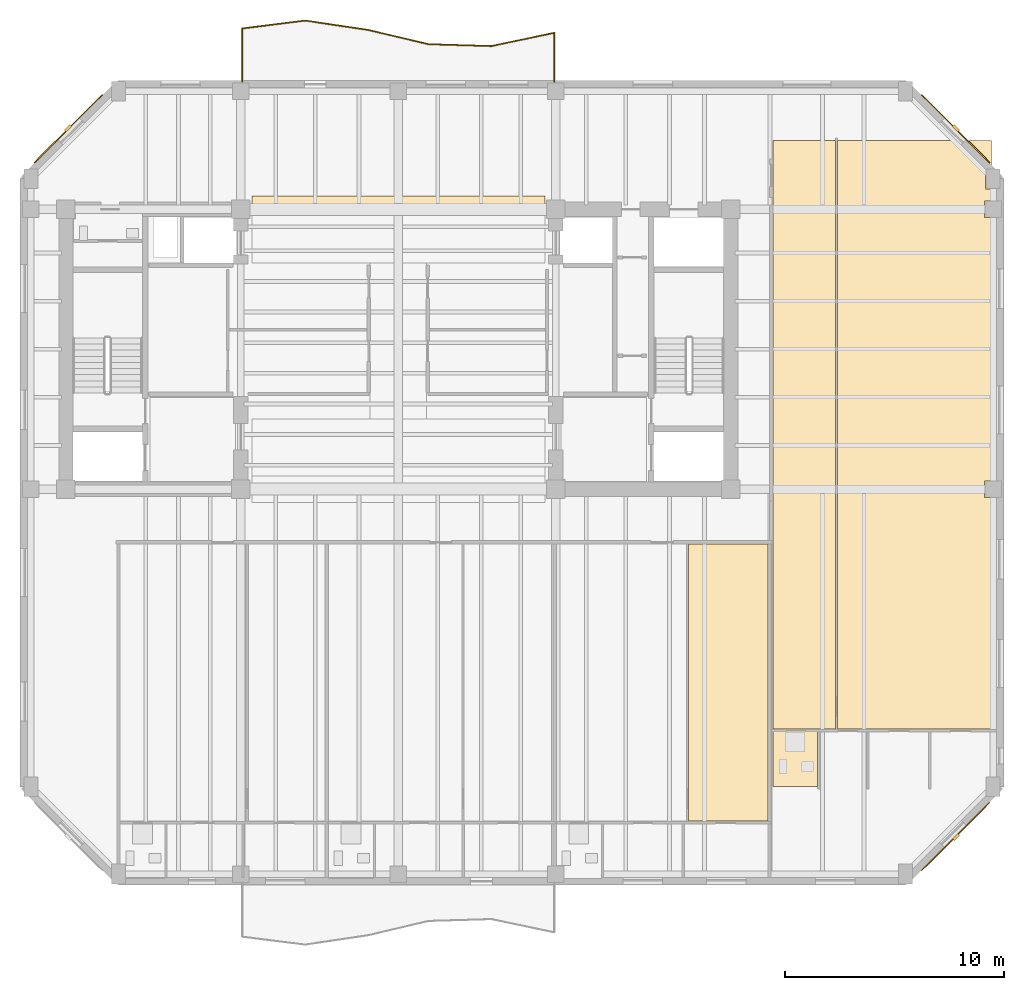
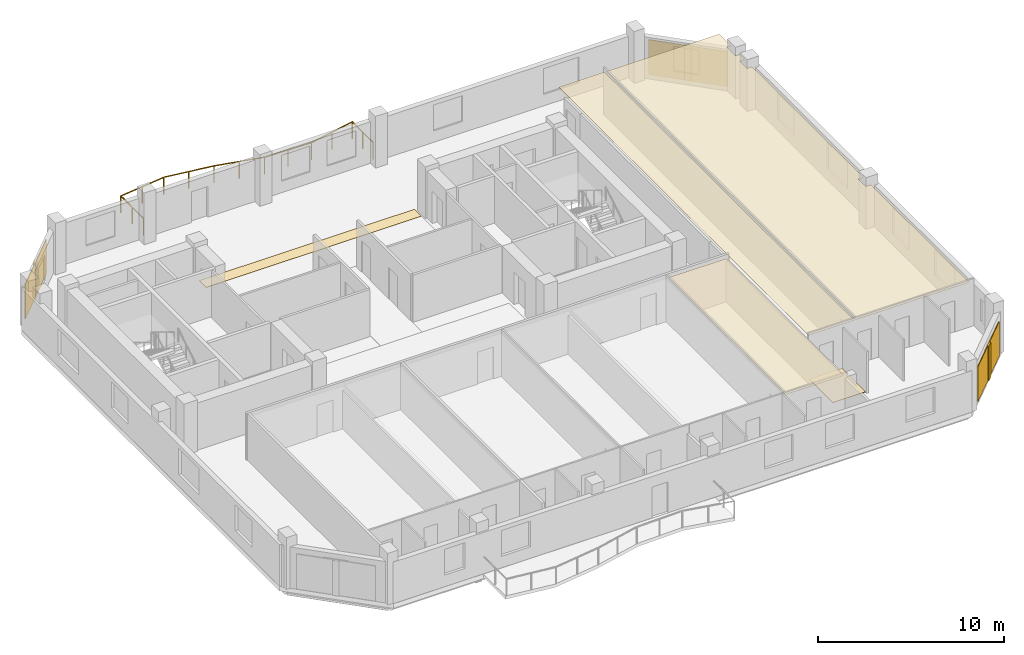
# One storey, part 9 of 10: 8 coverings, 3 shading devices, 1 railing.
"""IFC4 building model written with IfcOpenShell, lengths in metres."""

from ifc_helpers import new_model, si_unit, direction, frame, origin, origin_2d, place, context, subcontext, project, spatial, polyline, rectangle, circle, outline, extrude, material, layer, layer_set, type_object, element, save


model = new_model("IFC4")

# Units and contexts
model_context = context("Model", 3, precision=1e-05, world=origin(), true_north=direction((0.0, 1.0)))
body_context = subcontext(model_context, "Body", "Model", "MODEL_VIEW")
ifc_project = project(units=[si_unit("LENGTHUNIT", "METRE"), si_unit("AREAUNIT", "SQUARE_METRE"), si_unit("VOLUMEUNIT", "CUBIC_METRE"), si_unit("PLANEANGLEUNIT", "RADIAN"), si_unit("MASSUNIT", "GRAM", prefix="KILO")], contexts=[model_context])

# Site, building, storey
site_placement = place(None, origin())
site = spatial("IfcSite", under=ifc_project, at=site_placement, CompositionType="ELEMENT")
building_placement = place(site_placement, origin())
building = spatial("IfcBuilding", under=site, at=building_placement, Name="Kranthara Brick Stack", CompositionType="ELEMENT")
storey_placement = place(building_placement, frame((0.0, 0.0, 234.699951171875)))
storey = spatial("IfcBuildingStorey", under=building, at=storey_placement, Name="L61", CompositionType="ELEMENT", Elevation=234.699951171875)

# Coverings
ifc_material_1 = material(Name="Perforated mineral-fibre acoustic ceiling tile", Category="other")
ifc_layer_1 = layer(ifc_material_1, 0.02490234375)
ifc_layer_set_1 = layer_set([ifc_layer_1], Name="Perforated mineral-fibre acoustic ceiling tile")
covering_type_1 = type_object("IfcCoveringType", Name="COV-CEIL-ACOUSTIC", PredefinedType="CEILING", material=ifc_layer_set_1)
covering_1_placement = place(storey_placement, frame((0.0, 0.0, 2.830078125)))
element("IfcCovering", 1, at=covering_1_placement, inside=storey, type_object=covering_type_1, Name="L61 Unit L61C Private Study Room Acoustic Ceiling", PredefinedType="CEILING", context=body_context, shape_type="SweptSolid", body=[
    extrude(outline(polyline([(44.89990234375, 5.6298828125), (44.89990234375, 18.300048828125), (41.277099609375, 18.300048828125), (41.277099609375, 5.6298828125), (44.89990234375, 5.6298828125)])), origin(), (0.0, 0.0, 1.0), 0.02490234375),
])
covering_2_placement = place(storey_placement, frame((0.0, 0.0, 2.830078125)))
element("IfcCovering", 2, at=covering_2_placement, inside=storey, type_object=covering_type_1, Name="L61 Unit L61D 2-Bed Apartment Living Dining Acoustic Ceiling", PredefinedType="CEILING", context=body_context, shape_type="SweptSolid", body=[
    extrude(outline(polyline([(47.987060546875, 9.830078125), (47.987060546875, 36.75), (45.139892578125, 36.75), (45.139892578125, 9.830078125), (47.987060546875, 9.830078125)])), origin(), (0.0, 0.0, 1.0), 0.02490234375),
])
covering_3_placement = place(storey_placement, frame((0.0, 0.0, 2.830078125)))
element("IfcCovering", 3, at=covering_3_placement, inside=storey, type_object=covering_type_1, Name="L61 Unit L61D Private Study Room Acoustic Ceiling", PredefinedType="CEILING", context=body_context, shape_type="SweptSolid", body=[
    extrude(outline(polyline([(48.0869140625, 36.75), (55.1298828125, 36.75), (55.1298828125, 35.4599609375), (54.864990234375, 35.4599609375), (54.864990234375, 34.5400390625), (55.1298828125, 34.5400390625), (55.1298828125, 33.985107421875), (54.81494140625, 33.985107421875), (54.81494140625, 33.215087890625), (55.1298828125, 33.215087890625), (55.1298828125, 21.18505859375), (54.81494140625, 21.18505859375), (54.81494140625, 20.4150390625), (55.1298828125, 20.4150390625), (55.1298828125, 9.830078125), (48.0869140625, 9.830078125), (48.0869140625, 36.75)])), origin(), (0.0, 0.0, 1.0), 0.02490234375),
])
ifc_material_2 = material(Name="Warm buff kiln-fired brick slip rainscreen", Category="masonry")
ifc_layer_2 = layer(ifc_material_2, 0.044921875)
ifc_layer_set_2 = layer_set([ifc_layer_2], Name="Warm buff kiln-fired brick slip rainscreen")
covering_type_2 = type_object("IfcCoveringType", Name="COV-CLAD-BRICK", PredefinedType="CLADDING", material=ifc_layer_set_2)
for number, where, z_axis, x_axis, name in (
    (4, (12.91259765625, 37.287353515625, 0.0498046875), (0.0, 0.0, 1.0), (0.707106781187, 0.707106781187, 0.0), "L61 Chamfer Brick Rainscreen Cladding NW"),
    (5, (53.4873046875, 37.287353515625, 0.0498046875), (0.0, 0.0, 1.0), (0.707106781187, -0.707106781187, 0.0), "L61 Chamfer Brick Rainscreen Cladding NE"),
    (6, (53.4873046875, 4.91259765625, 0.0498046875), (0.0, 0.0, 1.0), (-0.707106781187, -0.707106781187, 0.0), "L61 Chamfer Brick Rainscreen Cladding SE"),
):
    element("IfcCovering", number, at=place(storey_placement, frame(where, z_axis=z_axis, x_axis=x_axis)), inside=storey, type_object=covering_type_2, Name=name, PredefinedType="CLADDING", context=body_context, shape_type="SweptSolid", body=[
        extrude(rectangle(XDim=4.39892578125, YDim=0.044921875, at=origin_2d()), origin(), (0.0, 0.0, 1.0), 2.300048828125),
    ])
ifc_material_3 = material(Name="Honed terrazzo and porcelain floor finish", Category="stone")
ifc_layer_3 = layer(ifc_material_3, 0.030029296875)
ifc_layer_set_3 = layer_set([ifc_layer_3], Name="Honed terrazzo and porcelain floor finish")
covering_type_3 = type_object("IfcCoveringType", Name="COV-FLOR-STONE", PredefinedType="FLOORING", material=ifc_layer_set_3)
covering_4_placement = place(storey_placement, origin())
element("IfcCovering", 7, at=covering_4_placement, inside=storey, type_object=covering_type_3, Name="L61 Lift Lobby Stone Flooring", PredefinedType="FLOORING", context=body_context, shape_type="SweptSolid", body=[
    extrude(outline(polyline([(34.699951171875, 33.449951171875), (21.300048828125, 33.449951171875), (21.300048828125, 34.199951171875), (34.699951171875, 34.199951171875), (34.699951171875, 33.449951171875)])), origin(), (0.0, 0.0, 1.0), 0.030029296875),
])
covering_5_placement = place(storey_placement, origin())
element("IfcCovering", 8, at=covering_5_placement, inside=storey, type_object=covering_type_3, Name="L61 Wet Room Porcelain Flooring", PredefinedType="FLOORING", context=body_context, shape_type="SweptSolid", body=[
    extrude(outline(polyline([(47.174072265625, 7.199951171875), (47.174072265625, 9.75), (45.139892578125, 9.75), (45.139892578125, 7.199951171875), (47.174072265625, 7.199951171875)])), origin(), (0.0, 0.0, 1.0), 0.030029296875),
])

# Railing
ifc_material_4 = material(Name="Bronze anodised aluminium and laminated glass balustrade", Category="aluminium")
railing_type = type_object("IfcRailingType", Name="RL-BALC-1120", PredefinedType="BALUSTRADE", material=ifc_material_4)
railing_placement = place(storey_placement, frame((20.860107421875, 39.43994140625, 0.0)))
element("IfcRailing", 9, at=railing_placement, inside=storey, type_object=railing_type, Name="L61 North Rippling Balcony Balustrade", PredefinedType="BALUSTRADE", context=body_context, shape_type="SweptSolid", body=[
    extrude(circle(Radius=0.02392578125, at=origin_2d()), frame((0.0, 0.0, 1.09619140625), z_axis=(-0.000200702455, 0.999999979859, 0.0), x_axis=(-0.999999979859, -0.000200702455, 0.0)), (0.0, 0.0, 1.0), 2.432861328125),
    extrude(circle(Radius=0.02392578125, at=origin_2d()), frame((-0.00048828125, 2.432861328125, 1.09619140625), z_axis=(0.992213005282, 0.124552607957, 0.0), x_axis=(-0.124552607957, 0.992213005282, 0.0)), (0.0, 0.0, 1.0), 2.901123046875),
    extrude(circle(Radius=0.02392578125, at=origin_2d()), frame((2.8779296875, 2.794189453125, 1.09619140625), z_axis=(0.989165551889, -0.146804328808, 0.0), x_axis=(0.146804328808, 0.989165551889, 0.0)), (0.0, 0.0, 1.0), 2.906982421875),
    extrude(circle(Radius=0.02392578125, at=origin_2d()), frame((5.75341796875, 2.367431640625, 1.09619140625), z_axis=(0.973227594909, -0.229843530489, 0.0), x_axis=(0.229843530489, 0.973227594909, 0.0)), (0.0, 0.0, 1.0), 2.842529296875),
    extrude(circle(Radius=0.02392578125, at=origin_2d()), frame((8.519775390625, 1.714111328125, 1.09619140625), z_axis=(0.999552611586, -0.029909474603, 0.0), x_axis=(0.029909474603, 0.999552611586, 0.0)), (0.0, 0.0, 1.0), 2.88134765625),
    extrude(circle(Radius=0.02392578125, at=origin_2d()), frame((11.39990234375, 1.6279296875, 1.09619140625), z_axis=(0.978475799524, 0.206361599493, 0.0), x_axis=(-0.206361599493, 0.978475799524, 0.0)), (0.0, 0.0, 1.0), 2.943603515625),
    extrude(circle(Radius=0.02392578125, at=origin_2d()), frame((14.280029296875, 2.2353515625, 1.09619140625), z_axis=(-0.000109217998, -0.999999994036, 0.0), x_axis=(0.999999994036, -0.000109217998, 0.0)), (0.0, 0.0, 1.0), 2.2353515625),
    extrude(circle(Radius=0.02099609375, at=origin_2d()), origin(), (0.0, 0.0, 1.0), 1.072021484375),
    extrude(circle(Radius=0.02099609375, at=origin_2d()), frame((-0.000244140625, 1.21630859375, 0.0)), (0.0, 0.0, 1.0), 1.072021484375),
    extrude(circle(Radius=0.02099609375, at=origin_2d()), frame((-0.00048828125, 2.432861328125, 0.0)), (0.0, 0.0, 1.0), 1.072021484375),
    extrude(circle(Radius=0.02099609375, at=origin_2d()), frame((1.438720703125, 2.613525390625, 0.0)), (0.0, 0.0, 1.0), 1.072021484375),
    extrude(circle(Radius=0.02099609375, at=origin_2d()), frame((2.8779296875, 2.794189453125, 0.0)), (0.0, 0.0, 1.0), 1.072021484375),
    extrude(circle(Radius=0.02099609375, at=origin_2d()), frame((4.315673828125, 2.580810546875, 0.0)), (0.0, 0.0, 1.0), 1.072021484375),
    extrude(circle(Radius=0.02099609375, at=origin_2d()), frame((5.75341796875, 2.367431640625, 0.0)), (0.0, 0.0, 1.0), 1.072021484375),
    extrude(circle(Radius=0.02099609375, at=origin_2d()), frame((7.13671875, 2.040771484375, 0.0)), (0.0, 0.0, 1.0), 1.072021484375),
    extrude(circle(Radius=0.02099609375, at=origin_2d()), frame((8.519775390625, 1.714111328125, 0.0)), (0.0, 0.0, 1.0), 1.072021484375),
    extrude(circle(Radius=0.02099609375, at=origin_2d()), frame((9.9599609375, 1.6708984375, 0.0)), (0.0, 0.0, 1.0), 1.072021484375),
    extrude(circle(Radius=0.02099609375, at=origin_2d()), frame((11.39990234375, 1.6279296875, 0.0)), (0.0, 0.0, 1.0), 1.072021484375),
    extrude(circle(Radius=0.02099609375, at=origin_2d()), frame((12.83984375, 1.931640625, 0.0)), (0.0, 0.0, 1.0), 1.072021484375),
    extrude(circle(Radius=0.02099609375, at=origin_2d()), frame((14.280029296875, 2.2353515625, 0.0)), (0.0, 0.0, 1.0), 1.072021484375),
    extrude(circle(Radius=0.02099609375, at=origin_2d()), frame((14.27978515625, 1.11767578125, 0.0)), (0.0, 0.0, 1.0), 1.072021484375),
    extrude(circle(Radius=0.02099609375, at=origin_2d()), frame((14.27978515625, 0.0, 0.0)), (0.0, 0.0, 1.0), 1.072021484375),
])

# Shading devices
ifc_material_5 = material(Name="Kiln-fired terracotta aerodynamic wind fin", Category="masonry")
shading_device_type = type_object("IfcShadingDeviceType", Name="SHD-BAFFLE-CORNER", PredefinedType="SHUTTER", material=ifc_material_5)
for number, where, z_axis, x_axis, name in (
    (10, (12.8916015625, 37.30859375, 0.0498046875), (0.0, 0.0, 1.0), (0.707106781187, 0.707106781187, 0.0), "L61 Chamfer Wind-Baffle Fin NW"),
    (11, (53.508544921875, 37.30859375, 0.0498046875), (0.0, 0.0, 1.0), (0.707106781187, -0.707106781187, 0.0), "L61 Chamfer Wind-Baffle Fin NE"),
    (12, (53.508544921875, 4.8916015625, 0.0498046875), (0.0, 0.0, 1.0), (-0.707106781187, -0.707106781187, 0.0), "L61 Chamfer Wind-Baffle Fin SE"),
):
    element("IfcShadingDevice", number, at=place(storey_placement, frame(where, z_axis=z_axis, x_axis=x_axis)), inside=storey, type_object=shading_device_type, Name=name, PredefinedType="SHUTTER", context=body_context, shape_type="SweptSolid", body=[
        extrude(rectangle(XDim=0.35009765625, YDim=0.1201171875, at=origin_2d()), origin(), (0.0, 0.0, 1.0), 2.300048828125),
    ])

save(model, "model.ifc")
